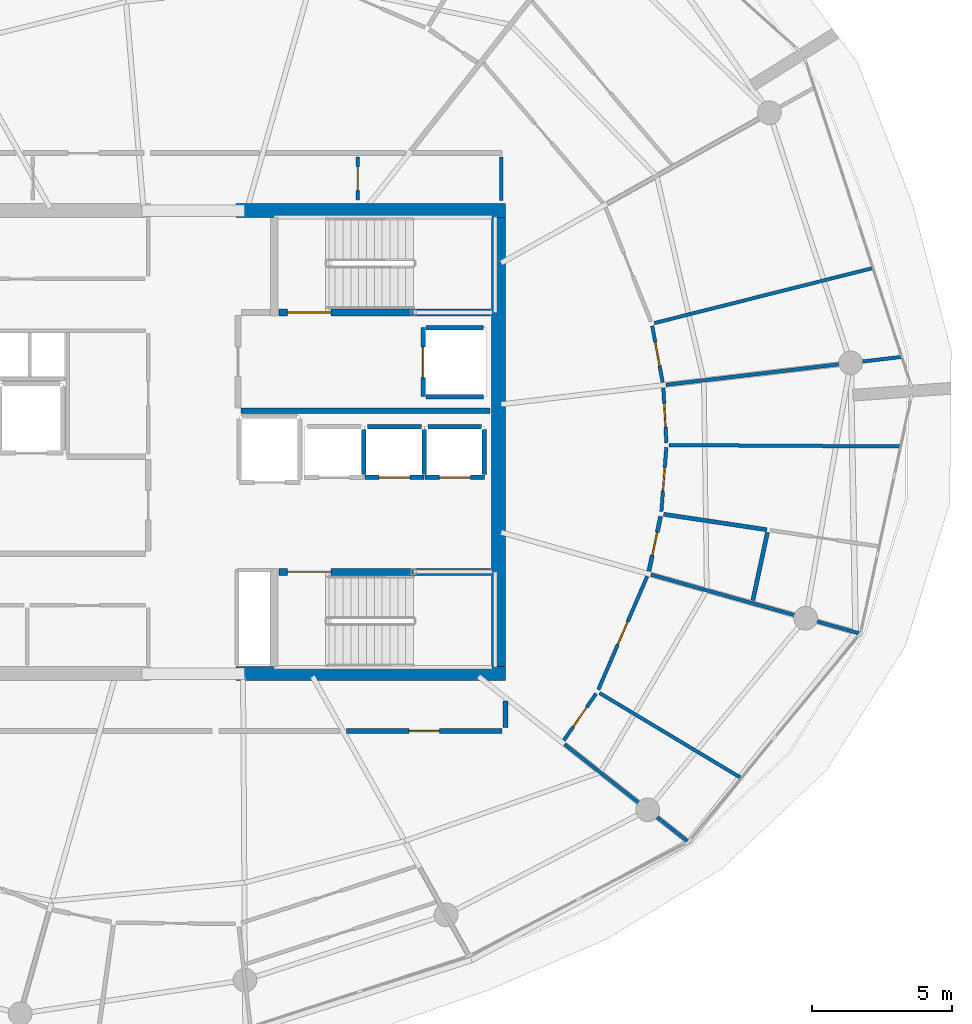
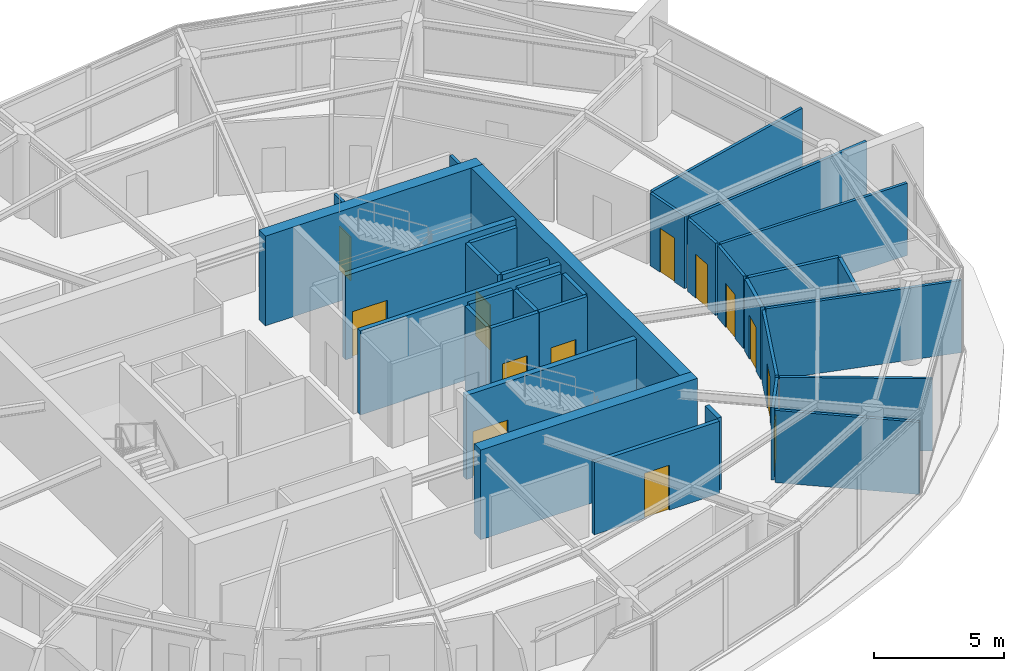
# One storey, part 13 of 16: 34 walls, 13 doors, 13 openings.
"""IFC4 building model written with IfcOpenShell, lengths in metres."""

from ifc_helpers import new_model, si_unit, direction, frame, frame_2d, origin, place, context, subcontext, project, spatial, rectangle, extrude, material, layer, layer_set, type_object, element, fill, save


model = new_model("IFC4")

# Units and contexts
model_context = context("Model", 3, precision=1e-05, world=origin(), true_north=direction((0.0, 1.0)))
body_context = subcontext(model_context, "Body", "Model", "MODEL_VIEW")
ifc_project = project(units=[si_unit("LENGTHUNIT", "METRE"), si_unit("AREAUNIT", "SQUARE_METRE"), si_unit("VOLUMEUNIT", "CUBIC_METRE"), si_unit("PLANEANGLEUNIT", "RADIAN"), si_unit("MASSUNIT", "GRAM", prefix="KILO")], contexts=[model_context])

# Site, building, storey
site_placement = place(None, origin())
site = spatial("IfcSite", under=ifc_project, at=site_placement, CompositionType="ELEMENT")
building_placement = place(site_placement, origin())
building = spatial("IfcBuilding", under=site, at=building_placement, Name="Kazma Halo Residences", CompositionType="ELEMENT")
storey_placement = place(building_placement, frame((0.0, 0.0, 313.699951171875)))
storey = spatial("IfcBuildingStorey", under=building, at=storey_placement, Name="L79", CompositionType="ELEMENT", Elevation=313.699951171875)

# Walls
ifc_material_1 = material(Name="Concrete C60/75", Category="concrete")
ifc_layer_1 = layer(ifc_material_1, 0.5)
ifc_layer_set_1 = layer_set([ifc_layer_1], Name="Concrete C60/75")
wall_type_1 = type_object("IfcWallType", Name="WL-CORE-500", PredefinedType="SHEAR", material=ifc_layer_set_1)
for number, where, z_axis, x_axis, name in (
    (1, (49.949951171875, 33.75, 0.0), (0.0, 0.0, 1.0), (1.0, 0.0, 0.0), "L79 central core shear wall SE"),
    (2, (49.949951171875, 50.25, 0.0), (0.0, 0.0, 1.0), (1.0, 0.0, 0.0), "L79 central core shear wall NE"),
):
    element("IfcWall", number, at=place(storey_placement, frame(where, z_axis=z_axis, x_axis=x_axis)), inside=storey, type_object=wall_type_1, Name=name, PredefinedType="SHEAR", context=body_context, shape_type="SweptSolid", body=[
        extrude(rectangle(XDim=9.60009765625, YDim=0.5, at=frame_2d((4.800048828125, 0.0))), origin(), (0.0, 0.0, 1.0), 4.199951171875),
    ])
wall_1_placement = place(storey_placement, frame((59.300048828125, 34.0, 0.0), z_axis=(0.0, 0.0, 1.0), x_axis=(0.0, 1.0, 0.0)))
element("IfcWall", 3, at=wall_1_placement, inside=storey, type_object=wall_type_1, Name="L79 central core shear wall E", PredefinedType="SHEAR", context=body_context, shape_type="SweptSolid", body=[
    extrude(rectangle(XDim=16.0, YDim=0.5, at=frame_2d((8.0, 0.0))), origin(), (0.0, 0.0, 1.0), 4.199951171875),
])

# Wall, opening, door
ifc_material_2 = material(Name="Acoustic Twin-Stud Gypsum")
ifc_layer_2 = layer(ifc_material_2, 0.179931640625)
ifc_layer_set_2 = layer_set([ifc_layer_2], Name="Acoustic Twin-Stud Gypsum")
wall_type_2 = type_object("IfcWallType", Name="WL-DEM-180", PredefinedType="PARTITIONING", material=ifc_layer_set_2)
wall_2_placement = place(storey_placement, frame((53.88818359375, 31.699951171875, 0.0), z_axis=(0.0, 0.0, 1.0), x_axis=(1.0, 0.0, 0.0)))
wall_2 = element("IfcWall", 4, at=wall_2_placement, inside=storey, type_object=wall_type_2, Name="L79 Penthouse 2 entrance corridor wall", PredefinedType="PARTITIONING", context=body_context, shape_type="SweptSolid", body=[
    extrude(rectangle(XDim=5.541748046875, YDim=0.179931640625, at=frame_2d((2.77099609375, 0.0))), origin(), (0.0, 0.0, 1.0), 3.380126953125),
])
opening_1_placement = place(wall_2_placement, frame((2.220703125, 0.0, 0.0)))
opening_1 = element("IfcOpeningElement", 5, at=opening_1_placement, cuts=wall_2, Name="Opening DA-1100", PredefinedType="OPENING", context=body_context, shape_type="SweptSolid", body=[
    extrude(rectangle(XDim=1.10009765625, YDim=2.10009765625, at=frame_2d((0.550048828125, 1.050048828125))), frame((0.0, 0.099853515625, 0.0), z_axis=(0.0, -1.0, 0.0), x_axis=(1.0, 0.0, 0.0)), (0.0, 0.0, 1.0), 0.199951171875),
])
ifc_material_3 = material(Name="Acoustic Walnut Fire Leaf")
door_type_1 = type_object("IfcDoorType", Name="DR-FD60-1100", OperationType="NOTDEFINED", PredefinedType="DOOR", material=ifc_material_3)
door_1_placement = place(opening_1_placement, origin())
door_1 = element("IfcDoor", 6, at=door_1_placement, inside=storey, type_object=door_type_1, Name="L79 Penthouse 2 entrance fire door", OperationType="SINGLE_SWING_RIGHT", OverallHeight=2.10009765625, OverallWidth=1.10009765625, PredefinedType="DOOR", context=body_context, shape_type="SweptSolid", body=[
    extrude(rectangle(XDim=1.10009765625, YDim=2.10009765625, at=frame_2d((0.550048828125, 1.050048828125))), frame((0.0, 0.02490234375, 0.0), z_axis=(0.0, -1.0, 0.0), x_axis=(1.0, 0.0, 0.0)), (0.0, 0.0, 1.0), 0.050048828125),
])
fill(opening_1, door_1)

# Walls
wall_3_placement = place(storey_placement, frame((59.550048828125, 31.820068359375, 0.0), z_axis=(0.0, 0.0, 1.0), x_axis=(0.0, 1.0, 0.0)))
element("IfcWall", 7, at=wall_3_placement, inside=storey, type_object=wall_type_2, Name="L79 Penthouse 2 entrance corridor wall", PredefinedType="PARTITIONING", context=body_context, shape_type="SweptSolid", body=[
    extrude(rectangle(XDim=0.95458984375, YDim=0.179931640625, at=frame_2d((0.477294921875, 0.0))), origin(), (0.0, 0.0, 1.0), 3.380126953125),
])
ifc_material_4 = material(Name="Fire-Rated Blockwork Masonry", Category="masonry")
ifc_layer_3 = layer(ifc_material_4, 0.199951171875)
ifc_layer_set_3 = layer_set([ifc_layer_3], Name="Fire-Rated Blockwork Masonry")
wall_type_3 = type_object("IfcWallType", Name="WL-FLB-200", PredefinedType="PARTITIONING", material=ifc_layer_set_3)
wall_4_placement = place(storey_placement, frame((54.5048828125, 40.844970703125, 0.0), z_axis=(0.0, 0.0, 1.0), x_axis=(0.0, 1.0, 0.0)))
element("IfcWall", 8, at=wall_4_placement, inside=storey, type_object=wall_type_3, Name="L79 lift shaft PH-01 side wall E", PredefinedType="PARTITIONING", context=body_context, shape_type="SweptSolid", body=[
    extrude(rectangle(XDim=1.610107421875, YDim=0.159912109375, at=frame_2d((0.80517578125, 0.0))), origin(), (0.0, 0.0, 1.0), 3.93994140625),
])

# Wall, opening, door
wall_5_placement = place(storey_placement, frame((56.655029296875, 40.7451171875, 0.0), z_axis=(0.0, 0.0, 1.0), x_axis=(-1.0, 0.0, 0.0)))
wall_5 = element("IfcWall", 9, at=wall_5_placement, inside=storey, type_object=wall_type_3, Name="L79 lift shaft PH-02 front wall", PredefinedType="PARTITIONING", context=body_context, shape_type="SweptSolid", body=[
    extrude(rectangle(XDim=2.110107421875, YDim=0.159912109375, at=frame_2d((1.05517578125, 0.0))), origin(), (0.0, 0.0, 1.0), 3.93994140625),
])
opening_2_placement = place(wall_5_placement, frame((0.5048828125, 0.0, 0.0)))
opening_2 = element("IfcOpeningElement", 10, at=opening_2_placement, cuts=wall_5, Name="Opening LD-PH-02", PredefinedType="OPENING", context=body_context, shape_type="SweptSolid", body=[
    extrude(rectangle(XDim=1.10009765625, YDim=2.10009765625, at=frame_2d((0.550048828125, 1.050048828125))), frame((0.0, 0.08984375, 0.0), z_axis=(0.0, -1.0, 0.0), x_axis=(1.0, 0.0, 0.0)), (0.0, 0.0, 1.0), 0.179931640625),
])
ifc_material_5 = material(Name="Stainless Steel Fire-Rated", Category="steel")
door_type_2 = type_object("IfcDoorType", Name="DR-LIFT-SLD-1100", OperationType="DOUBLE_DOOR_SLIDING", PredefinedType="DOOR", material=ifc_material_5)
door_2_placement = place(opening_2_placement, origin())
door_2 = element("IfcDoor", 11, at=door_2_placement, inside=storey, type_object=door_type_2, Name="L79 lift PH-02 sliding landing door", OperationType="DOUBLE_DOOR_SLIDING", OverallHeight=2.10009765625, OverallWidth=1.10009765625, PredefinedType="DOOR", context=body_context, shape_type="SweptSolid", body=[
    extrude(rectangle(XDim=1.10009765625, YDim=2.10009765625, at=frame_2d((0.550048828125, 1.050048828125))), frame((0.0, 0.02490234375, 0.0), z_axis=(0.0, -1.0, 0.0), x_axis=(1.0, 0.0, 0.0)), (0.0, 0.0, 1.0), 0.050048828125),
])
fill(opening_2, door_2)

# Walls
wall_6_placement = place(storey_placement, frame((56.655029296875, 40.844970703125, 0.0), z_axis=(0.0, 0.0, 1.0), x_axis=(0.0, 1.0, 0.0)))
element("IfcWall", 12, at=wall_6_placement, inside=storey, type_object=wall_type_3, Name="L79 lift shaft PH-02 side wall E", PredefinedType="PARTITIONING", context=body_context, shape_type="SweptSolid", body=[
    extrude(rectangle(XDim=1.610107421875, YDim=0.159912109375, at=frame_2d((0.80517578125, 0.0))), origin(), (0.0, 0.0, 1.0), 3.93994140625),
])
wall_7_placement = place(storey_placement, frame((54.64501953125, 42.554931640625, 0.0), z_axis=(0.0, 0.0, 1.0), x_axis=(1.0, 0.0, 0.0)))
element("IfcWall", 13, at=wall_7_placement, inside=storey, type_object=wall_type_3, Name="L79 lift shaft PH-02 side wall N", PredefinedType="PARTITIONING", context=body_context, shape_type="SweptSolid", body=[
    extrude(rectangle(XDim=1.909912109375, YDim=0.159912109375, at=frame_2d((0.955078125, 0.0))), origin(), (0.0, 0.0, 1.0), 3.93994140625),
])

# Wall, opening, door
wall_8_placement = place(storey_placement, frame((58.804931640625, 40.7451171875, 0.0), z_axis=(0.0, 0.0, 1.0), x_axis=(-1.0, 0.0, 0.0)))
wall_8 = element("IfcWall", 14, at=wall_8_placement, inside=storey, type_object=wall_type_3, Name="L79 lift shaft PH-03 front wall", PredefinedType="PARTITIONING", context=body_context, shape_type="SweptSolid", body=[
    extrude(rectangle(XDim=2.10986328125, YDim=0.159912109375, at=frame_2d((1.054931640625, 0.0))), origin(), (0.0, 0.0, 1.0), 3.93994140625),
])
opening_3_placement = place(wall_8_placement, frame((0.5048828125, 0.0, 0.0)))
opening_3 = element("IfcOpeningElement", 15, at=opening_3_placement, cuts=wall_8, Name="Opening LD-PH-03", PredefinedType="OPENING", context=body_context, shape_type="SweptSolid", body=[
    extrude(rectangle(XDim=1.10009765625, YDim=2.10009765625, at=frame_2d((0.550048828125, 1.050048828125))), frame((0.0, 0.08984375, 0.0), z_axis=(0.0, -1.0, 0.0), x_axis=(1.0, 0.0, 0.0)), (0.0, 0.0, 1.0), 0.179931640625),
])
door_3_placement = place(opening_3_placement, origin())
door_3 = element("IfcDoor", 16, at=door_3_placement, inside=storey, type_object=door_type_2, Name="L79 lift PH-03 sliding landing door", OperationType="DOUBLE_DOOR_SLIDING", OverallHeight=2.10009765625, OverallWidth=1.10009765625, PredefinedType="DOOR", context=body_context, shape_type="SweptSolid", body=[
    extrude(rectangle(XDim=1.10009765625, YDim=2.10009765625, at=frame_2d((0.550048828125, 1.050048828125))), frame((0.0, 0.02490234375, 0.0), z_axis=(0.0, -1.0, 0.0), x_axis=(1.0, 0.0, 0.0)), (0.0, 0.0, 1.0), 0.050048828125),
])
fill(opening_3, door_3)

# Walls
wall_9_placement = place(storey_placement, frame((58.804931640625, 40.844970703125, 0.0), z_axis=(0.0, 0.0, 1.0), x_axis=(0.0, 1.0, 0.0)))
element("IfcWall", 17, at=wall_9_placement, inside=storey, type_object=wall_type_3, Name="L79 lift shaft PH-03 side wall E", PredefinedType="PARTITIONING", context=body_context, shape_type="SweptSolid", body=[
    extrude(rectangle(XDim=1.610107421875, YDim=0.159912109375, at=frame_2d((0.80517578125, 0.0))), origin(), (0.0, 0.0, 1.0), 3.93994140625),
])
wall_10_placement = place(storey_placement, frame((56.794921875, 42.554931640625, 0.0), z_axis=(0.0, 0.0, 1.0), x_axis=(1.0, 0.0, 0.0)))
element("IfcWall", 18, at=wall_10_placement, inside=storey, type_object=wall_type_3, Name="L79 lift shaft PH-03 side wall N", PredefinedType="PARTITIONING", context=body_context, shape_type="SweptSolid", body=[
    extrude(rectangle(XDim=1.91015625, YDim=0.159912109375, at=frame_2d((0.955078125, 0.0))), origin(), (0.0, 0.0, 1.0), 3.93994140625),
])

# Wall, opening, door
wall_11_placement = place(storey_placement, frame((56.6201171875, 46.080078125, 0.0), z_axis=(0.0, 0.0, 1.0), x_axis=(0.0, -1.0, 0.0)))
wall_11 = element("IfcWall", 19, at=wall_11_placement, inside=storey, type_object=wall_type_3, Name="L79 lift shaft FL-02 front wall", PredefinedType="PARTITIONING", context=body_context, shape_type="SweptSolid", body=[
    extrude(rectangle(XDim=2.4599609375, YDim=0.159912109375, at=frame_2d((1.22998046875, 0.0))), origin(), (0.0, 0.0, 1.0), 3.93994140625),
])
opening_4_placement = place(wall_11_placement, frame((0.679931640625, 0.0, 0.0)))
opening_4 = element("IfcOpeningElement", 20, at=opening_4_placement, cuts=wall_11, Name="Opening LD-FL-02", PredefinedType="OPENING", context=body_context, shape_type="SweptSolid", body=[
    extrude(rectangle(XDim=1.10009765625, YDim=2.10009765625, at=frame_2d((0.550048828125, 1.050048828125))), frame((0.0, 0.08984375, 0.0), z_axis=(0.0, -1.0, 0.0), x_axis=(1.0, 0.0, 0.0)), (0.0, 0.0, 1.0), 0.179931640625),
])
door_4_placement = place(opening_4_placement, origin())
door_4 = element("IfcDoor", 21, at=door_4_placement, inside=storey, type_object=door_type_2, Name="L79 lift FL-02 sliding landing door", OperationType="DOUBLE_DOOR_SLIDING", OverallHeight=2.10009765625, OverallWidth=1.10009765625, PredefinedType="DOOR", context=body_context, shape_type="SweptSolid", body=[
    extrude(rectangle(XDim=1.10009765625, YDim=2.10009765625, at=frame_2d((0.550048828125, 1.050048828125))), frame((0.0, 0.02490234375, 0.0), z_axis=(0.0, -1.0, 0.0), x_axis=(1.0, 0.0, 0.0)), (0.0, 0.0, 1.0), 0.050048828125),
])
fill(opening_4, door_4)

# Walls
for number, where, z_axis, x_axis, name in (
    (22, (56.719970703125, 46.080078125, 0.0), (0.0, 0.0, 1.0), (1.0, 0.0, 0.0), "L79 lift shaft FL-02 side wall N"),
    (23, (56.719970703125, 43.6201171875, 0.0), (0.0, 0.0, 1.0), (1.0, 0.0, 0.0), "L79 lift shaft FL-02 side wall S"),
):
    element("IfcWall", number, at=place(storey_placement, frame(where, z_axis=z_axis, x_axis=x_axis)), inside=storey, type_object=wall_type_3, Name=name, PredefinedType="PARTITIONING", context=body_context, shape_type="SweptSolid", body=[
        extrude(rectangle(XDim=2.06005859375, YDim=0.159912109375, at=frame_2d((1.030029296875, 0.0))), origin(), (0.0, 0.0, 1.0), 3.93994140625),
    ])
wall_12_placement = place(storey_placement, frame((50.1201171875, 43.1201171875, 0.0), z_axis=(0.0, 0.0, 1.0), x_axis=(1.0, 0.0, 0.0)))
element("IfcWall", 24, at=wall_12_placement, inside=storey, type_object=wall_type_3, Name="L79 east firefighting lobby south smoke wall", PredefinedType="PARTITIONING", context=body_context, shape_type="SweptSolid", body=[
    extrude(rectangle(XDim=8.8798828125, YDim=0.199951171875, at=frame_2d((4.43994140625, 0.0))), origin(), (0.0, 0.0, 1.0), 3.93994140625),
])
ifc_material_6 = material(Name="Gypsum Plasterboard Partition")
ifc_layer_4 = layer(ifc_material_6, 0.125)
ifc_layer_set_4 = layer_set([ifc_layer_4], Name="Gypsum Plasterboard Partition")
wall_type_4 = type_object("IfcWallType", Name="WL-PART-125", PredefinedType="PARTITIONING", material=ifc_layer_set_4)
wall_13_placement = place(storey_placement, frame((59.409912109375, 50.6201171875, 0.0), z_axis=(0.0, 0.0, 1.0), x_axis=(0.0, 1.0, 0.0)))
element("IfcWall", 25, at=wall_13_placement, inside=storey, type_object=wall_type_4, Name="L79 east cupboard end wall", PredefinedType="PARTITIONING", context=body_context, shape_type="SweptSolid", body=[
    extrude(rectangle(XDim=1.539794921875, YDim=0.125, at=frame_2d((0.77001953125, 0.0))), origin(), (0.0, 0.0, 1.0), 3.380126953125),
])

# Wall, opening, door
wall_14_placement = place(storey_placement, frame((54.2900390625, 50.639892578125, 0.0), z_axis=(0.0, 0.0, 1.0), x_axis=(0.0, 1.0, 0.0)))
wall_14 = element("IfcWall", 26, at=wall_14_placement, inside=storey, type_object=wall_type_4, Name="L79 floor metering cupboard door wall", PredefinedType="PARTITIONING", context=body_context, shape_type="SweptSolid", body=[
    extrude(rectangle(XDim=1.52001953125, YDim=0.125, at=frame_2d((0.760009765625, 0.0))), origin(), (0.0, 0.0, 1.0), 3.380126953125),
])
opening_5_placement = place(wall_14_placement, frame((0.3349609375, 0.0, 0.0)))
opening_5 = element("IfcOpeningElement", 27, at=opening_5_placement, cuts=wall_14, Name="Opening DS-850", PredefinedType="OPENING", context=body_context, shape_type="SweptSolid", body=[
    extrude(rectangle(XDim=0.85009765625, YDim=2.06005859375, at=frame_2d((0.425048828125, 1.030029296875))), frame((0.0, 0.072509765625, 0.0), z_axis=(0.0, -1.0, 0.0), x_axis=(1.0, 0.0, 0.0)), (0.0, 0.0, 1.0), 0.14501953125),
])
ifc_material_7 = material(Name="Painted Steel Access Leaf", Category="steel")
door_type_3 = type_object("IfcDoorType", Name="DR-SVC-850", OperationType="NOTDEFINED", PredefinedType="DOOR", material=ifc_material_7)
door_5_placement = place(opening_5_placement, origin())
door_5 = element("IfcDoor", 28, at=door_5_placement, inside=storey, type_object=door_type_3, Name="L79 floor cupboard door", OperationType="SINGLE_SWING_LEFT", OverallHeight=2.06005859375, OverallWidth=0.85009765625, PredefinedType="DOOR", context=body_context, shape_type="SweptSolid", body=[
    extrude(rectangle(XDim=0.85009765625, YDim=2.06005859375, at=frame_2d((0.425048828125, 1.030029296875))), frame((0.0, 0.02490234375, 0.0), z_axis=(0.0, -1.0, 0.0), x_axis=(1.0, 0.0, 0.0)), (0.0, 0.0, 1.0), 0.050048828125),
])
fill(opening_5, door_5)

# Walls
wall_15_placement = place(storey_placement, frame((61.661376953125, 31.230224609375, 0.0), z_axis=(0.0, 0.0, 1.0), x_axis=(0.785321366699, -0.61908832246, 0.0)))
element("IfcWall", 29, at=wall_15_placement, inside=storey, type_object=wall_type_4, Name="L79 Penthouse 2 radial partition 13", PredefinedType="PARTITIONING", context=body_context, shape_type="SweptSolid", body=[
    extrude(rectangle(XDim=5.59716796875, YDim=0.125, at=frame_2d((2.798583984375, 0.0))), origin(), (0.0, 0.0, 1.0), 3.380126953125),
])
wall_16_placement = place(storey_placement, frame((62.908935546875, 33.055908203125, 0.0), z_axis=(0.0, 0.0, 1.0), x_axis=(0.857522321131, -0.514446759891, 0.0)))
element("IfcWall", 30, at=wall_16_placement, inside=storey, type_object=wall_type_4, Name="L79 Penthouse 2 mid-bay wall 13", PredefinedType="PARTITIONING", context=body_context, shape_type="SweptSolid", body=[
    extrude(rectangle(XDim=5.8623046875, YDim=0.125, at=frame_2d((2.93115234375, 0.0))), origin(), (0.0, 0.0, 1.0), 3.380126953125),
])

# Wall, opening, door
wall_17_placement = place(storey_placement, frame((61.6396484375, 31.37451171875, 0.0), z_axis=(0.0, 0.0, 1.0), x_axis=(0.567882687213, 0.823109502778, 0.0)))
wall_17 = element("IfcWall", 31, at=wall_17_placement, inside=storey, type_object=wall_type_4, Name="L79 Penthouse 2 Corner Private Study hall wall", PredefinedType="PARTITIONING", context=body_context, shape_type="SweptSolid", body=[
    extrude(rectangle(XDim=2.019287109375, YDim=0.125, at=frame_2d((1.009765625, 0.0))), origin(), (0.0, 0.0, 1.0), 3.380126953125),
])
opening_6_placement = place(wall_17_placement, frame((0.584716796875, 0.0, 0.0)))
opening_6 = element("IfcOpeningElement", 32, at=opening_6_placement, cuts=wall_17, Name="Opening DB-900", PredefinedType="OPENING", context=body_context, shape_type="SweptSolid", body=[
    extrude(rectangle(XDim=0.85009765625, YDim=2.06005859375, at=frame_2d((0.425048828125, 1.030029296875))), frame((0.0, 0.072509765625, 0.0), z_axis=(0.0, -1.0, 0.0), x_axis=(1.0, 0.0, 0.0)), (0.0, 0.0, 1.0), 0.14501953125),
])
ifc_material_8 = material(Name="Moisture-Sealed Timber Leaf", Category="wood")
door_type_4 = type_object("IfcDoorType", Name="DR-BTH-900", OperationType="NOTDEFINED", PredefinedType="DOOR", material=ifc_material_8)
door_6_placement = place(opening_6_placement, origin())
door_6 = element("IfcDoor", 33, at=door_6_placement, inside=storey, type_object=door_type_4, Name="L79 Penthouse 2 Corner Private Study door", OperationType="SINGLE_SWING_LEFT", OverallHeight=2.06005859375, OverallWidth=0.85009765625, PredefinedType="DOOR", context=body_context, shape_type="SweptSolid", body=[
    extrude(rectangle(XDim=0.85009765625, YDim=2.06005859375, at=frame_2d((0.425048828125, 1.030029296875))), frame((0.0, 0.02490234375, 0.0), z_axis=(0.0, -1.0, 0.0), x_axis=(1.0, 0.0, 0.0)), (0.0, 0.0, 1.0), 0.050048828125),
])
fill(opening_6, door_6)

wall_18_placement = place(storey_placement, frame((62.863525390625, 33.17578125, 0.0), z_axis=(0.0, 0.0, 1.0), x_axis=(0.396416875537, 0.918070618629, 0.0)))
wall_18 = element("IfcWall", 34, at=wall_18_placement, inside=storey, type_object=wall_type_4, Name="L79 Penthouse 2 Garden Master Bedroom hall wall", PredefinedType="PARTITIONING", context=body_context, shape_type="SweptSolid", body=[
    extrude(rectangle(XDim=4.39794921875, YDim=0.125, at=frame_2d((2.198974609375, 0.0))), origin(), (0.0, 0.0, 1.0), 3.380126953125),
])
opening_7_placement = place(wall_18_placement, frame((1.7490234375, 0.0, 0.0)))
opening_7 = element("IfcOpeningElement", 35, at=opening_7_placement, cuts=wall_18, Name="Opening DI-950", PredefinedType="OPENING", context=body_context, shape_type="SweptSolid", body=[
    extrude(rectangle(XDim=0.89990234375, YDim=2.080078125, at=frame_2d((0.449951171875, 1.0400390625))), frame((0.0, 0.072509765625, 0.0), z_axis=(0.0, -1.0, 0.0), x_axis=(1.0, 0.0, 0.0)), (0.0, 0.0, 1.0), 0.14501953125),
])
ifc_material_9 = material(Name="Timber Veneer Flush Leaf", Category="wood")
door_type_5 = type_object("IfcDoorType", Name="DR-INT-950", OperationType="NOTDEFINED", PredefinedType="DOOR", material=ifc_material_9)
door_7_placement = place(opening_7_placement, origin())
door_7 = element("IfcDoor", 36, at=door_7_placement, inside=storey, type_object=door_type_5, Name="L79 Penthouse 2 Garden Master Bedroom door", OperationType="SINGLE_SWING_RIGHT", OverallHeight=2.080078125, OverallWidth=0.89990234375, PredefinedType="DOOR", context=body_context, shape_type="SweptSolid", body=[
    extrude(rectangle(XDim=0.89990234375, YDim=2.080078125, at=frame_2d((0.449951171875, 1.0400390625))), frame((0.0, 0.02490234375, 0.0), z_axis=(0.0, -1.0, 0.0), x_axis=(1.0, 0.0, 0.0)), (0.0, 0.0, 1.0), 0.050048828125),
])
fill(opening_7, door_7)

# Walls
wall_19_placement = place(storey_placement, frame((64.742919921875, 37.278076171875, 0.0), z_axis=(0.0, 0.0, 1.0), x_axis=(0.962456234201, -0.271436912093, 0.0)))
element("IfcWall", 37, at=wall_19_placement, inside=storey, type_object=wall_type_4, Name="L79 Penthouse 2 radial partition 14", PredefinedType="PARTITIONING", context=body_context, shape_type="SweptSolid", body=[
    extrude(rectangle(XDim=7.730712890625, YDim=0.125, at=frame_2d((3.865234375, 0.0))), origin(), (0.0, 0.0, 1.0), 3.380126953125),
])
wall_20_placement = place(storey_placement, frame((65.3857421875, 41.895751953125, 0.0), z_axis=(0.0, 0.0, 1.0), x_axis=(0.999982039273, -0.005993424085, 0.0)))
element("IfcWall", 38, at=wall_20_placement, inside=storey, type_object=wall_type_4, Name="L79 Penthouse 2 suite divider 14", PredefinedType="PARTITIONING", context=body_context, shape_type="SweptSolid", body=[
    extrude(rectangle(XDim=8.228515625, YDim=0.125, at=frame_2d((4.1142578125, 0.0))), origin(), (0.0, 0.0, 1.0), 3.380126953125),
])

# Wall, opening, door
wall_21_placement = place(storey_placement, frame((65.11279296875, 39.53173828125, 0.0), z_axis=(0.0, 0.0, 1.0), x_axis=(0.077136447431, 0.997020545665, 0.0)))
wall_21 = element("IfcWall", 39, at=wall_21_placement, inside=storey, type_object=wall_type_4, Name="L79 Penthouse 2 Primary Private Study hall wall", PredefinedType="PARTITIONING", context=body_context, shape_type="SweptSolid", body=[
    extrude(rectangle(XDim=2.29150390625, YDim=0.125, at=frame_2d((1.145751953125, 0.0))), origin(), (0.0, 0.0, 1.0), 3.380126953125),
])
opening_8_placement = place(wall_21_placement, frame((0.720703125, 0.0, 0.0)))
opening_8 = element("IfcOpeningElement", 40, at=opening_8_placement, cuts=wall_21, Name="Opening DB-900", PredefinedType="OPENING", context=body_context, shape_type="SweptSolid", body=[
    extrude(rectangle(XDim=0.85009765625, YDim=2.06005859375, at=frame_2d((0.425048828125, 1.030029296875))), frame((0.0, 0.072509765625, 0.0), z_axis=(0.0, -1.0, 0.0), x_axis=(1.0, 0.0, 0.0)), (0.0, 0.0, 1.0), 0.14501953125),
])
door_8_placement = place(opening_8_placement, origin())
door_8 = element("IfcDoor", 41, at=door_8_placement, inside=storey, type_object=door_type_4, Name="L79 Penthouse 2 Primary Private Study door", OperationType="SINGLE_SWING_RIGHT", OverallHeight=2.06005859375, OverallWidth=0.85009765625, PredefinedType="DOOR", context=body_context, shape_type="SweptSolid", body=[
    extrude(rectangle(XDim=0.85009765625, YDim=2.06005859375, at=frame_2d((0.425048828125, 1.030029296875))), frame((0.0, 0.02490234375, 0.0), z_axis=(0.0, -1.0, 0.0), x_axis=(1.0, 0.0, 0.0)), (0.0, 0.0, 1.0), 0.050048828125),
])
fill(opening_8, door_8)

wall_22_placement = place(storey_placement, frame((65.291259765625, 41.976318359375, 0.0), z_axis=(0.0, 0.0, 1.0), x_axis=(-0.055932266986, 0.998434565462, 0.0)))
wall_22 = element("IfcWall", 42, at=wall_22_placement, inside=storey, type_object=wall_type_4, Name="L79 Penthouse 2 Secondary Master Bedroom hall wall", PredefinedType="PARTITIONING", context=body_context, shape_type="SweptSolid", body=[
    extrude(rectangle(XDim=1.9599609375, YDim=0.125, at=frame_2d((0.97998046875, 0.0))), origin(), (0.0, 0.0, 1.0), 3.380126953125),
])
opening_9_placement = place(wall_22_placement, frame((0.554931640625, 0.0, 0.0)))
opening_9 = element("IfcOpeningElement", 43, at=opening_9_placement, cuts=wall_22, Name="Opening DB-900", PredefinedType="OPENING", context=body_context, shape_type="SweptSolid", body=[
    extrude(rectangle(XDim=0.85009765625, YDim=2.06005859375, at=frame_2d((0.425048828125, 1.030029296875))), frame((0.0, 0.072509765625, 0.0), z_axis=(0.0, -1.0, 0.0), x_axis=(1.0, 0.0, 0.0)), (0.0, 0.0, 1.0), 0.14501953125),
])
door_9_placement = place(opening_9_placement, origin())
door_9 = element("IfcDoor", 44, at=door_9_placement, inside=storey, type_object=door_type_4, Name="L79 Penthouse 2 Secondary Master Bedroom door", OperationType="SINGLE_SWING_LEFT", OverallHeight=2.06005859375, OverallWidth=0.85009765625, PredefinedType="DOOR", context=body_context, shape_type="SweptSolid", body=[
    extrude(rectangle(XDim=0.85009765625, YDim=2.06005859375, at=frame_2d((0.425048828125, 1.030029296875))), frame((0.0, 0.02490234375, 0.0), z_axis=(0.0, -1.0, 0.0), x_axis=(1.0, 0.0, 0.0)), (0.0, 0.0, 1.0), 0.050048828125),
])
fill(opening_9, door_9)

# Walls
wall_23_placement = place(storey_placement, frame((65.275390625, 44.044677734375, 0.0), z_axis=(0.0, 0.0, 1.0), x_axis=(0.993069210767, 0.117531028353, 0.0)))
element("IfcWall", 45, at=wall_23_placement, inside=storey, type_object=wall_type_4, Name="L79 Penthouse 2 radial partition 15", PredefinedType="PARTITIONING", context=body_context, shape_type="SweptSolid", body=[
    extrude(rectangle(XDim=8.43994140625, YDim=0.125, at=frame_2d((4.219970703125, 0.0))), origin(), (0.0, 0.0, 1.0), 3.380126953125),
])
wall_24_placement = place(storey_placement, frame((64.860107421875, 46.244384765625, 0.0), z_axis=(0.0, 0.0, 1.0), x_axis=(0.969745005786, 0.244120101083, 0.0)))
element("IfcWall", 46, at=wall_24_placement, inside=storey, type_object=wall_type_4, Name="L79 Penthouse 2 mid-bay wall 15", PredefinedType="PARTITIONING", context=body_context, shape_type="SweptSolid", body=[
    extrude(rectangle(XDim=8.0107421875, YDim=0.125, at=frame_2d((4.00537109375, 0.0))), origin(), (0.0, 0.0, 1.0), 3.380126953125),
])

# Wall, opening, door
wall_25_placement = place(storey_placement, frame((65.157958984375, 44.131103515625, 0.0), z_axis=(0.0, 0.0, 1.0), x_axis=(-0.181226197609, 0.98344143969, 0.0)))
wall_25 = element("IfcWall", 47, at=wall_25_placement, inside=storey, type_object=wall_type_4, Name="L79 Penthouse 2 East Wine Pantry Store hall wall", PredefinedType="PARTITIONING", context=body_context, shape_type="SweptSolid", body=[
    extrude(rectangle(XDim=2.04638671875, YDim=0.125, at=frame_2d((1.023193359375, 0.0))), origin(), (0.0, 0.0, 1.0), 3.380126953125),
])
opening_10_placement = place(wall_25_placement, frame((0.59814453125, 0.0, 0.0)))
opening_10 = element("IfcOpeningElement", 48, at=opening_10_placement, cuts=wall_25, Name="Opening DB-900", PredefinedType="OPENING", context=body_context, shape_type="SweptSolid", body=[
    extrude(rectangle(XDim=0.85009765625, YDim=2.06005859375, at=frame_2d((0.425048828125, 1.030029296875))), frame((0.0, 0.072509765625, 0.0), z_axis=(0.0, -1.0, 0.0), x_axis=(1.0, 0.0, 0.0)), (0.0, 0.0, 1.0), 0.14501953125),
])
door_10_placement = place(opening_10_placement, origin())
door_10 = element("IfcDoor", 49, at=door_10_placement, inside=storey, type_object=door_type_4, Name="L79 Penthouse 2 East Wine Pantry Store door", OperationType="SINGLE_SWING_LEFT", OverallHeight=2.06005859375, OverallWidth=0.85009765625, PredefinedType="DOOR", context=body_context, shape_type="SweptSolid", body=[
    extrude(rectangle(XDim=0.85009765625, YDim=2.06005859375, at=frame_2d((0.425048828125, 1.030029296875))), frame((0.0, 0.02490234375, 0.0), z_axis=(0.0, -1.0, 0.0), x_axis=(1.0, 0.0, 0.0)), (0.0, 0.0, 1.0), 0.050048828125),
])
fill(opening_10, door_10)

ifc_material_10 = material(Name="Concrete C50/60", Category="concrete")
ifc_layer_5 = layer(ifc_material_10, 0.25)
ifc_layer_set_5 = layer_set([ifc_layer_5], Name="Concrete C50/60")
wall_type_5 = type_object("IfcWallType", Name="WL-SHF-250", PredefinedType="SOLIDWALL", material=ifc_layer_set_5)
wall_26_placement = place(storey_placement, frame((51.47998046875, 46.6201171875, 0.0), z_axis=(0.0, 0.0, 1.0), x_axis=(1.0, 0.0, 0.0)))
wall_26 = element("IfcWall", 50, at=wall_26_placement, inside=storey, type_object=wall_type_5, Name="L79 exit stair ST-02 enclosure wall", PredefinedType="SOLIDWALL", context=body_context, shape_type="SweptSolid", body=[
    extrude(rectangle(XDim=7.5400390625, YDim=0.25, at=frame_2d((3.77001953125, 0.0))), origin(), (0.0, 0.0, 1.0), 3.93994140625),
])
opening_11_placement = place(wall_26_placement, frame((0.300048828125, 0.0, 0.0)))
opening_11 = element("IfcOpeningElement", 51, at=opening_11_placement, cuts=wall_26, Name="Opening D-ST2", PredefinedType="OPENING", context=body_context, shape_type="SweptSolid", body=[
    extrude(rectangle(XDim=1.550048828125, YDim=2.14990234375, at=frame_2d((0.77490234375, 1.074951171875))), frame((0.0, 0.135009765625, 0.0), z_axis=(0.0, -1.0, 0.0), x_axis=(1.0, 0.0, 0.0)), (0.0, 0.0, 1.0), 0.27001953125),
])
ifc_material_11 = material(Name="Fire-Rated Double Steel Leaf", Category="steel")
door_type_6 = type_object("IfcDoorType", Name="DR-FD90-1550", OperationType="NOTDEFINED", PredefinedType="DOOR", material=ifc_material_11)
door_11_placement = place(opening_11_placement, origin())
door_11 = element("IfcDoor", 52, at=door_11_placement, inside=storey, type_object=door_type_6, Name="L79 exit stair ST-02 fire door", OperationType="DOUBLE_DOOR_SINGLE_SWING", OverallHeight=2.14990234375, OverallWidth=1.550048828125, PredefinedType="DOOR", context=body_context, shape_type="SweptSolid", body=[
    extrude(rectangle(XDim=1.550048828125, YDim=2.14990234375, at=frame_2d((0.77490234375, 1.074951171875))), frame((0.0, 0.02490234375, 0.0), z_axis=(0.0, -1.0, 0.0), x_axis=(1.0, 0.0, 0.0)), (0.0, 0.0, 1.0), 0.050048828125),
])
fill(opening_11, door_11)

wall_27_placement = place(storey_placement, frame((51.47998046875, 37.3798828125, 0.0), z_axis=(0.0, 0.0, 1.0), x_axis=(1.0, 0.0, 0.0)))
wall_27 = element("IfcWall", 53, at=wall_27_placement, inside=storey, type_object=wall_type_5, Name="L79 exit stair ST-03 enclosure wall", PredefinedType="SOLIDWALL", context=body_context, shape_type="SweptSolid", body=[
    extrude(rectangle(XDim=7.5400390625, YDim=0.25, at=frame_2d((3.77001953125, 0.0))), origin(), (0.0, 0.0, 1.0), 3.93994140625),
])
opening_12_placement = place(wall_27_placement, frame((0.300048828125, 0.0, 0.0)))
opening_12 = element("IfcOpeningElement", 54, at=opening_12_placement, cuts=wall_27, Name="Opening D-ST3", PredefinedType="OPENING", context=body_context, shape_type="SweptSolid", body=[
    extrude(rectangle(XDim=1.550048828125, YDim=2.14990234375, at=frame_2d((0.77490234375, 1.074951171875))), frame((0.0, 0.135009765625, 0.0), z_axis=(0.0, -1.0, 0.0), x_axis=(1.0, 0.0, 0.0)), (0.0, 0.0, 1.0), 0.27001953125),
])
door_12_placement = place(opening_12_placement, origin())
door_12 = element("IfcDoor", 55, at=door_12_placement, inside=storey, type_object=door_type_6, Name="L79 exit stair ST-03 fire door", OperationType="DOUBLE_DOOR_SINGLE_SWING", OverallHeight=2.14990234375, OverallWidth=1.550048828125, PredefinedType="DOOR", context=body_context, shape_type="SweptSolid", body=[
    extrude(rectangle(XDim=1.550048828125, YDim=2.14990234375, at=frame_2d((0.77490234375, 1.074951171875))), frame((0.0, 0.02490234375, 0.0), z_axis=(0.0, -1.0, 0.0), x_axis=(1.0, 0.0, 0.0)), (0.0, 0.0, 1.0), 0.050048828125),
])
fill(opening_12, door_12)

ifc_material_12 = material(Name="Moisture-Resistant Gypsum")
ifc_layer_6 = layer(ifc_material_12, 0.14990234375)
ifc_layer_set_6 = layer_set([ifc_layer_6], Name="Moisture-Resistant Gypsum")
wall_type_6 = type_object("IfcWallType", Name="WL-WET-150", PredefinedType="PARTITIONING", material=ifc_layer_set_6)
wall_28_placement = place(storey_placement, frame((64.66748046875, 37.403076171875, 0.0), z_axis=(0.0, 0.0, 1.0), x_axis=(0.210189108437, 0.977660748263, 0.0)))
wall_28 = element("IfcWall", 56, at=wall_28_placement, inside=storey, type_object=wall_type_6, Name="L79 Penthouse 2 Sky En-Suite Bathroom hall wall", PredefinedType="PARTITIONING", context=body_context, shape_type="SweptSolid", body=[
    extrude(rectangle(XDim=1.99560546875, YDim=0.14990234375, at=frame_2d((0.997802734375, 0.0))), origin(), (0.0, 0.0, 1.0), 3.380126953125),
])
opening_13_placement = place(wall_28_placement, frame((0.57275390625, 0.0, 0.0)))
opening_13 = element("IfcOpeningElement", 57, at=opening_13_placement, cuts=wall_28, Name="Opening DB-900", PredefinedType="OPENING", context=body_context, shape_type="SweptSolid", body=[
    extrude(rectangle(XDim=0.85009765625, YDim=2.06005859375, at=frame_2d((0.425048828125, 1.030029296875))), frame((0.0, 0.0849609375, 0.0), z_axis=(0.0, -1.0, 0.0), x_axis=(1.0, 0.0, 0.0)), (0.0, 0.0, 1.0), 0.169921875),
])
door_13_placement = place(opening_13_placement, origin())
door_13 = element("IfcDoor", 58, at=door_13_placement, inside=storey, type_object=door_type_4, Name="L79 Penthouse 2 Sky En-Suite Bathroom door", OperationType="SINGLE_SWING_RIGHT", OverallHeight=2.06005859375, OverallWidth=0.85009765625, PredefinedType="DOOR", context=body_context, shape_type="SweptSolid", body=[
    extrude(rectangle(XDim=0.85009765625, YDim=2.06005859375, at=frame_2d((0.425048828125, 1.030029296875))), frame((0.0, 0.02490234375, 0.0), z_axis=(0.0, -1.0, 0.0), x_axis=(1.0, 0.0, 0.0)), (0.0, 0.0, 1.0), 0.050048828125),
])
fill(opening_13, door_13)

# Walls
wall_29_placement = place(storey_placement, frame((68.373046875, 36.35791015625, 0.0), z_axis=(0.0, 0.0, 1.0), x_axis=(0.210093294538, 0.97768134256, 0.0)))
element("IfcWall", 59, at=wall_29_placement, inside=storey, type_object=wall_type_6, Name="L79 Penthouse 2 Sky En-Suite Bathroom back wall", PredefinedType="PARTITIONING", context=body_context, shape_type="SweptSolid", body=[
    extrude(rectangle(XDim=2.482177734375, YDim=0.14990234375, at=frame_2d((1.2412109375, 0.0))), origin(), (0.0, 0.0, 1.0), 3.380126953125),
])
wall_30_placement = place(storey_placement, frame((65.19482421875, 39.4287109375, 0.0), z_axis=(0.0, 0.0, 1.0), x_axis=(0.988997407038, -0.147932852576, 0.0)))
element("IfcWall", 60, at=wall_30_placement, inside=storey, type_object=wall_type_6, Name="L79 Penthouse 2 Sky En-Suite Bathroom side wall", PredefinedType="PARTITIONING", context=body_context, shape_type="SweptSolid", body=[
    extrude(rectangle(XDim=3.719970703125, YDim=0.14990234375, at=frame_2d((1.85986328125, 0.0))), origin(), (0.0, 0.0, 1.0), 3.380126953125),
])

save(model, "model.ifc")
